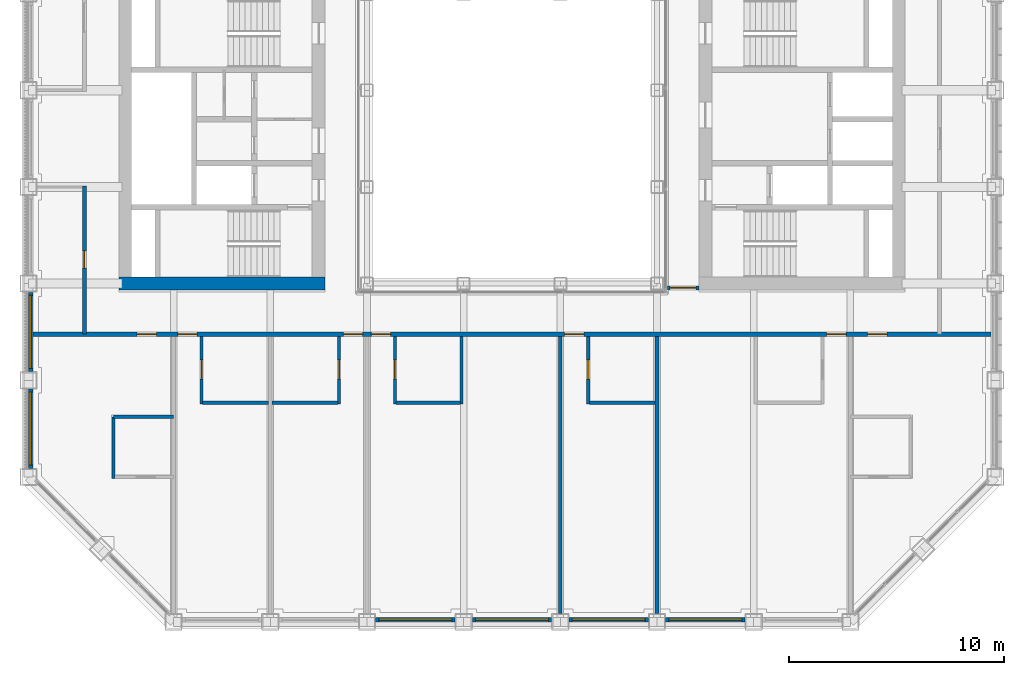
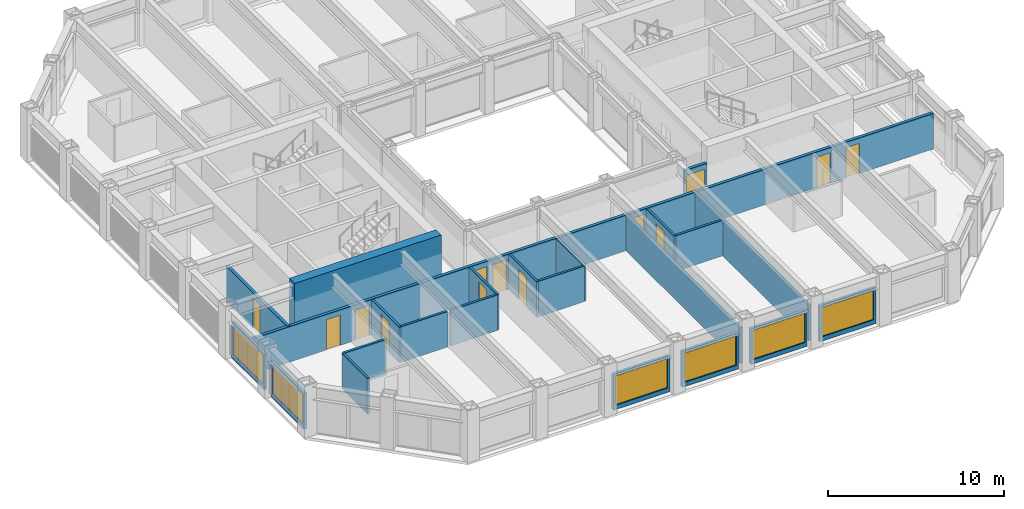
# One storey, part 10 of 17: 23 walls, 13 doors, 6 windows, 19 openings.
"""IFC4 building model written with IfcOpenShell, lengths in metres."""

from ifc_helpers import new_model, si_unit, direction, frame, frame_2d, origin, place, context, subcontext, project, spatial, rectangle, extrude, material, layer, layer_set, type_object, element, fill, save


model = new_model("IFC4")

# Units and contexts
model_context = context("Model", 3, precision=1e-05, world=origin(), true_north=direction((0.0, 1.0)))
body_context = subcontext(model_context, "Body", "Model", "MODEL_VIEW")
ifc_project = project(units=[si_unit("LENGTHUNIT", "METRE"), si_unit("AREAUNIT", "SQUARE_METRE"), si_unit("VOLUMEUNIT", "CUBIC_METRE"), si_unit("PLANEANGLEUNIT", "RADIAN"), si_unit("MASSUNIT", "GRAM", prefix="KILO")], contexts=[model_context])

# Site, building, storey
site_placement = place(None, origin())
site = spatial("IfcSite", under=ifc_project, at=site_placement, CompositionType="ELEMENT")
building_placement = place(site_placement, origin())
building = spatial("IfcBuilding", under=site, at=building_placement, Name="Msasa Ring Tower", CompositionType="ELEMENT")
storey_placement = place(building_placement, frame((0.0, 0.0, 140.0)))
storey = spatial("IfcBuildingStorey", under=building, at=storey_placement, Name="L36", CompositionType="ELEMENT", Elevation=140.0)

# Wall
ifc_material_1 = material(Name="Concrete C60/75", Category="concrete")
ifc_layer_1 = layer(ifc_material_1, 0.60009765625)
ifc_layer_set_1 = layer_set([ifc_layer_1], Name="CW2 CORE WALL 600")
wall_type_1 = type_object("IfcWallType", Name="CW2 CORE WALL 600", PredefinedType="SHEAR", material=ifc_layer_set_1)
wall_1_placement = place(storey_placement, frame((-8.699951171875, -6.75, 0.0), z_axis=(0.0, 0.0, 1.0), x_axis=(-1.0, 0.0, 0.0)))
element("IfcWall", 1, at=wall_1_placement, inside=storey, type_object=wall_type_1, Name="W core wall S L36", PredefinedType="SHEAR", context=body_context, shape_type="SweptSolid", body=[
    extrude(rectangle(XDim=9.60009765625, YDim=0.60009765625, at=frame_2d((4.800048828125, 0.0))), origin(), (0.0, 0.0, 1.0), 3.60009765625),
])

# Wall, opening, window
ifc_material_2 = material(Name="Terracotta rainscreen on blockwork", Category="masonry")
ifc_layer_2 = layer(ifc_material_2, 0.199951171875)
ifc_layer_set_2 = layer_set([ifc_layer_2], Name="FW1 TERRACOTTA-LINED INFILL BAY WALL 200")
wall_type_2 = type_object("IfcWallType", Name="FW1 TERRACOTTA-LINED INFILL BAY WALL 200", PredefinedType="SOLIDWALL", material=ifc_layer_set_2)
wall_2_placement = place(storey_placement, frame((-6.344970703125, -22.39990234375, 0.0), z_axis=(0.0, 0.0, 1.0), x_axis=(1.0, 0.0, 0.0)))
wall_2 = element("IfcWall", 2, at=wall_2_placement, inside=storey, type_object=wall_type_2, Name="Infill bay wall S L36 02", PredefinedType="SOLIDWALL", context=body_context, shape_type="SweptSolid", body=[
    extrude(rectangle(XDim=3.68994140625, YDim=0.199951171875, at=frame_2d((1.844970703125, 0.0))), origin(), (0.0, 0.0, 1.0), 2.47900390625),
])
opening_1_placement = place(wall_2_placement, frame((0.14501953125, 0.0, 0.300048828125)))
opening_1 = element("IfcOpeningElement", 3, at=opening_1_placement, cuts=wall_2, Name="Opening WN2", PredefinedType="OPENING", context=body_context, shape_type="SweptSolid", body=[
    extrude(rectangle(XDim=3.39990234375, YDim=2.029052734375, at=frame_2d((1.699951171875, 1.0146484375))), frame((0.0, 0.10986328125, 0.0), z_axis=(0.0, -1.0, 0.0), x_axis=(1.0, 0.0, 0.0)), (0.0, 0.0, 1.0), 0.219970703125),
])
ifc_material_3 = material(Name="Aluminium frame with clear glass", Category="aluminium")
window_type = type_object("IfcWindowType", Name="WN2 GUEST ROOM WINDOW 3400x2029", PartitioningType="SINGLE_PANEL", PredefinedType="WINDOW", material=ifc_material_3)
window_1_placement = place(opening_1_placement, origin())
window_1 = element("IfcWindow", 4, at=window_1_placement, inside=storey, type_object=window_type, Name="Window S L36 02", OverallHeight=2.029052734375, OverallWidth=3.39990234375, PartitioningType="SINGLE_PANEL", PredefinedType="WINDOW", context=body_context, shape_type="SweptSolid", body=[
    extrude(rectangle(XDim=3.39990234375, YDim=2.029052734375, at=frame_2d((1.699951171875, 1.0146484375))), frame((0.0, 0.030029296875, 0.0), z_axis=(0.0, -1.0, 0.0), x_axis=(1.0, 0.0, 0.0)), (0.0, 0.0, 1.0), 0.06005859375),
])
fill(opening_1, window_1)

wall_3_placement = place(storey_placement, frame((-1.844970703125, -22.39990234375, 0.0), z_axis=(0.0, 0.0, 1.0), x_axis=(1.0, 0.0, 0.0)))
wall_3 = element("IfcWall", 5, at=wall_3_placement, inside=storey, type_object=wall_type_2, Name="Infill bay wall S L36 03", PredefinedType="SOLIDWALL", context=body_context, shape_type="SweptSolid", body=[
    extrude(rectangle(XDim=3.68994140625, YDim=0.199951171875, at=frame_2d((1.844970703125, 0.0))), origin(), (0.0, 0.0, 1.0), 2.47900390625),
])
opening_2_placement = place(wall_3_placement, frame((0.14501953125, 0.0, 0.300048828125)))
opening_2 = element("IfcOpeningElement", 6, at=opening_2_placement, cuts=wall_3, Name="Opening WN2", PredefinedType="OPENING", context=body_context, shape_type="SweptSolid", body=[
    extrude(rectangle(XDim=3.39990234375, YDim=2.029052734375, at=frame_2d((1.699951171875, 1.0146484375))), frame((0.0, 0.10986328125, 0.0), z_axis=(0.0, -1.0, 0.0), x_axis=(1.0, 0.0, 0.0)), (0.0, 0.0, 1.0), 0.219970703125),
])
window_2_placement = place(opening_2_placement, origin())
window_2 = element("IfcWindow", 7, at=window_2_placement, inside=storey, type_object=window_type, Name="Window S L36 03", OverallHeight=2.029052734375, OverallWidth=3.39990234375, PartitioningType="SINGLE_PANEL", PredefinedType="WINDOW", context=body_context, shape_type="SweptSolid", body=[
    extrude(rectangle(XDim=3.39990234375, YDim=2.029052734375, at=frame_2d((1.699951171875, 1.0146484375))), frame((0.0, 0.030029296875, 0.0), z_axis=(0.0, -1.0, 0.0), x_axis=(1.0, 0.0, 0.0)), (0.0, 0.0, 1.0), 0.06005859375),
])
fill(opening_2, window_2)

wall_4_placement = place(storey_placement, frame((2.655029296875, -22.39990234375, 0.0), z_axis=(0.0, 0.0, 1.0), x_axis=(1.0, 0.0, 0.0)))
wall_4 = element("IfcWall", 8, at=wall_4_placement, inside=storey, type_object=wall_type_2, Name="Infill bay wall S L36 04", PredefinedType="SOLIDWALL", context=body_context, shape_type="SweptSolid", body=[
    extrude(rectangle(XDim=3.68994140625, YDim=0.199951171875, at=frame_2d((1.844970703125, 0.0))), origin(), (0.0, 0.0, 1.0), 2.47900390625),
])
opening_3_placement = place(wall_4_placement, frame((0.14501953125, 0.0, 0.300048828125)))
opening_3 = element("IfcOpeningElement", 9, at=opening_3_placement, cuts=wall_4, Name="Opening WN2", PredefinedType="OPENING", context=body_context, shape_type="SweptSolid", body=[
    extrude(rectangle(XDim=3.39990234375, YDim=2.029052734375, at=frame_2d((1.699951171875, 1.0146484375))), frame((0.0, 0.10986328125, 0.0), z_axis=(0.0, -1.0, 0.0), x_axis=(1.0, 0.0, 0.0)), (0.0, 0.0, 1.0), 0.219970703125),
])
window_3_placement = place(opening_3_placement, origin())
window_3 = element("IfcWindow", 10, at=window_3_placement, inside=storey, type_object=window_type, Name="Window S L36 04", OverallHeight=2.029052734375, OverallWidth=3.39990234375, PartitioningType="SINGLE_PANEL", PredefinedType="WINDOW", context=body_context, shape_type="SweptSolid", body=[
    extrude(rectangle(XDim=3.39990234375, YDim=2.029052734375, at=frame_2d((1.699951171875, 1.0146484375))), frame((0.0, 0.030029296875, 0.0), z_axis=(0.0, -1.0, 0.0), x_axis=(1.0, 0.0, 0.0)), (0.0, 0.0, 1.0), 0.06005859375),
])
fill(opening_3, window_3)

wall_5_placement = place(storey_placement, frame((7.155029296875, -22.39990234375, 0.0), z_axis=(0.0, 0.0, 1.0), x_axis=(1.0, 0.0, 0.0)))
wall_5 = element("IfcWall", 11, at=wall_5_placement, inside=storey, type_object=wall_type_2, Name="Infill bay wall S L36 05", PredefinedType="SOLIDWALL", context=body_context, shape_type="SweptSolid", body=[
    extrude(rectangle(XDim=3.68994140625, YDim=0.199951171875, at=frame_2d((1.844970703125, 0.0))), origin(), (0.0, 0.0, 1.0), 2.47900390625),
])
opening_4_placement = place(wall_5_placement, frame((0.14501953125, 0.0, 0.300048828125)))
opening_4 = element("IfcOpeningElement", 12, at=opening_4_placement, cuts=wall_5, Name="Opening WN2", PredefinedType="OPENING", context=body_context, shape_type="SweptSolid", body=[
    extrude(rectangle(XDim=3.39990234375, YDim=2.029052734375, at=frame_2d((1.699951171875, 1.0146484375))), frame((0.0, 0.10986328125, 0.0), z_axis=(0.0, -1.0, 0.0), x_axis=(1.0, 0.0, 0.0)), (0.0, 0.0, 1.0), 0.219970703125),
])
window_4_placement = place(opening_4_placement, origin())
window_4 = element("IfcWindow", 13, at=window_4_placement, inside=storey, type_object=window_type, Name="Window S L36 05", OverallHeight=2.029052734375, OverallWidth=3.39990234375, PartitioningType="SINGLE_PANEL", PredefinedType="WINDOW", context=body_context, shape_type="SweptSolid", body=[
    extrude(rectangle(XDim=3.39990234375, YDim=2.029052734375, at=frame_2d((1.699951171875, 1.0146484375))), frame((0.0, 0.030029296875, 0.0), z_axis=(0.0, -1.0, 0.0), x_axis=(1.0, 0.0, 0.0)), (0.0, 0.0, 1.0), 0.06005859375),
])
fill(opening_4, window_4)

wall_6_placement = place(storey_placement, frame((-22.39990234375, -15.344970703125, 0.0), z_axis=(0.0, 0.0, 1.0), x_axis=(0.0, 1.0, 0.0)))
wall_6 = element("IfcWall", 14, at=wall_6_placement, inside=storey, type_object=wall_type_2, Name="Infill bay wall W L36 27", PredefinedType="SOLIDWALL", context=body_context, shape_type="SweptSolid", body=[
    extrude(rectangle(XDim=3.68994140625, YDim=0.199951171875, at=frame_2d((1.844970703125, 0.0))), origin(), (0.0, 0.0, 1.0), 2.47900390625),
])
opening_5_placement = place(wall_6_placement, frame((0.14501953125, 0.0, 0.300048828125)))
opening_5 = element("IfcOpeningElement", 15, at=opening_5_placement, cuts=wall_6, Name="Opening WN2", PredefinedType="OPENING", context=body_context, shape_type="SweptSolid", body=[
    extrude(rectangle(XDim=3.39990234375, YDim=2.029052734375, at=frame_2d((1.699951171875, 1.0146484375))), frame((0.0, 0.10986328125, 0.0), z_axis=(0.0, -1.0, 0.0), x_axis=(1.0, 0.0, 0.0)), (0.0, 0.0, 1.0), 0.219970703125),
])
window_5_placement = place(opening_5_placement, origin())
window_5 = element("IfcWindow", 16, at=window_5_placement, inside=storey, type_object=window_type, Name="Window W L36 27", OverallHeight=2.029052734375, OverallWidth=3.39990234375, PartitioningType="SINGLE_PANEL", PredefinedType="WINDOW", context=body_context, shape_type="SweptSolid", body=[
    extrude(rectangle(XDim=3.39990234375, YDim=2.029052734375, at=frame_2d((1.699951171875, 1.0146484375))), frame((0.0, 0.030029296875, 0.0), z_axis=(0.0, -1.0, 0.0), x_axis=(1.0, 0.0, 0.0)), (0.0, 0.0, 1.0), 0.06005859375),
])
fill(opening_5, window_5)

wall_7_placement = place(storey_placement, frame((-22.39990234375, -10.844970703125, 0.0), z_axis=(0.0, 0.0, 1.0), x_axis=(0.0, 1.0, 0.0)))
wall_7 = element("IfcWall", 17, at=wall_7_placement, inside=storey, type_object=wall_type_2, Name="Infill bay wall W L36 28", PredefinedType="SOLIDWALL", context=body_context, shape_type="SweptSolid", body=[
    extrude(rectangle(XDim=3.68994140625, YDim=0.199951171875, at=frame_2d((1.844970703125, 0.0))), origin(), (0.0, 0.0, 1.0), 2.47900390625),
])
opening_6_placement = place(wall_7_placement, frame((0.14501953125, 0.0, 0.300048828125)))
opening_6 = element("IfcOpeningElement", 18, at=opening_6_placement, cuts=wall_7, Name="Opening WN2", PredefinedType="OPENING", context=body_context, shape_type="SweptSolid", body=[
    extrude(rectangle(XDim=3.39990234375, YDim=2.029052734375, at=frame_2d((1.699951171875, 1.0146484375))), frame((0.0, 0.10986328125, 0.0), z_axis=(0.0, -1.0, 0.0), x_axis=(1.0, 0.0, 0.0)), (0.0, 0.0, 1.0), 0.219970703125),
])
window_6_placement = place(opening_6_placement, origin())
window_6 = element("IfcWindow", 19, at=window_6_placement, inside=storey, type_object=window_type, Name="Window W L36 28", OverallHeight=2.029052734375, OverallWidth=3.39990234375, PartitioningType="SINGLE_PANEL", PredefinedType="WINDOW", context=body_context, shape_type="SweptSolid", body=[
    extrude(rectangle(XDim=3.39990234375, YDim=2.029052734375, at=frame_2d((1.699951171875, 1.0146484375))), frame((0.0, 0.030029296875, 0.0), z_axis=(0.0, -1.0, 0.0), x_axis=(1.0, 0.0, 0.0)), (0.0, 0.0, 1.0), 0.06005859375),
])
fill(opening_6, window_6)

# Wall, opening, door
ifc_material_4 = material(Name="Concrete blockwork", Category="masonry")
ifc_layer_3 = layer(ifc_material_4, 0.199951171875)
ifc_layer_set_3 = layer_set([ifc_layer_3], Name="PT1 CORRIDOR WALL 200")
wall_type_3 = type_object("IfcWallType", Name="PT1 CORRIDOR WALL 200", PredefinedType="PARTITIONING", material=ifc_layer_set_3)
wall_8_placement = place(storey_placement, frame((7.22998046875, -6.949951171875, 0.0), z_axis=(0.0, 0.0, 1.0), x_axis=(1.0, 0.0, 0.0)))
wall_8 = element("IfcWall", 20, at=wall_8_placement, inside=storey, type_object=wall_type_3, Name="Corridor wall L36-SDES", PredefinedType="PARTITIONING", context=body_context, shape_type="SweptSolid", body=[
    extrude(rectangle(XDim=1.469970703125, YDim=0.199951171875, at=frame_2d((0.73486328125, 0.0))), origin(), (0.0, 0.0, 1.0), 2.473388671875),
])
opening_7_placement = place(wall_8_placement, frame((0.135009765625, 0.0, 0.0)))
opening_7 = element("IfcOpeningElement", 21, at=opening_7_placement, cuts=wall_8, Name="Opening HC-033", PredefinedType="OPENING", context=body_context, shape_type="SweptSolid", body=[
    extrude(rectangle(XDim=1.199951171875, YDim=2.10009765625, at=frame_2d((0.60009765625, 1.050048828125))), frame((0.0, 0.10986328125, 0.0), z_axis=(0.0, -1.0, 0.0), x_axis=(1.0, 0.0, 0.0)), (0.0, 0.0, 1.0), 0.219970703125),
])
ifc_material_5 = material(Name="Timber door leaf in a steel frame", Category="steel")
door_type_1 = type_object("IfcDoorType", Name="D25 CORRIDOR PAIR OF SMOKE DOORS 1200x2100", OperationType="DOUBLE_DOOR_DOUBLE_SWING", PredefinedType="DOOR", material=ifc_material_5)
door_1_placement = place(opening_7_placement, origin())
door_1 = element("IfcDoor", 22, at=door_1_placement, inside=storey, type_object=door_type_1, Name="Door L36-SDES", OperationType="DOUBLE_DOOR_DOUBLE_SWING", OverallHeight=2.10009765625, OverallWidth=1.199951171875, PredefinedType="DOOR", context=body_context, shape_type="SweptSolid", body=[
    extrude(rectangle(XDim=1.199951171875, YDim=2.10009765625, at=frame_2d((0.60009765625, 1.050048828125))), frame((0.0, 0.02490234375, 0.0), z_axis=(0.0, -1.0, 0.0), x_axis=(1.0, 0.0, 0.0)), (0.0, 0.0, 1.0), 0.050048828125),
])
fill(opening_7, door_1)

# Wall, openings, doors
wall_9_placement = place(storey_placement, frame((-22.300048828125, -9.10009765625, 0.0), z_axis=(0.0, 0.0, 1.0), x_axis=(1.0, 0.0, 0.0)))
wall_9 = element("IfcWall", 23, at=wall_9_placement, inside=storey, type_object=wall_type_3, Name="Corridor wall L36-CORRS0", PredefinedType="PARTITIONING", context=body_context, shape_type="SweptSolid", body=[
    extrude(rectangle(XDim=44.60009765625, YDim=0.199951171875, at=frame_2d((22.300048828125, 0.0))), origin(), (0.0, 0.0, 1.0), 2.473388671875),
])
opening_8_placement = place(wall_9_placement, frame((6.75, 0.0, 0.0)))
opening_8 = element("IfcOpeningElement", 24, at=opening_8_placement, cuts=wall_9, Name="Opening HC-035", PredefinedType="OPENING", context=body_context, shape_type="SweptSolid", body=[
    extrude(rectangle(XDim=0.89990234375, YDim=2.10009765625, at=frame_2d((0.449951171875, 1.050048828125))), frame((0.0, 0.10986328125, 0.0), z_axis=(0.0, -1.0, 0.0), x_axis=(1.0, 0.0, 0.0)), (0.0, 0.0, 1.0), 0.219970703125),
])
opening_9_placement = place(wall_9_placement, frame((14.449951171875, 0.0, 0.0)))
opening_9 = element("IfcOpeningElement", 25, at=opening_9_placement, cuts=wall_9, Name="Opening HC-036", PredefinedType="OPENING", context=body_context, shape_type="SweptSolid", body=[
    extrude(rectangle(XDim=0.89990234375, YDim=2.10009765625, at=frame_2d((0.449951171875, 1.050048828125))), frame((0.0, 0.10986328125, 0.0), z_axis=(0.0, -1.0, 0.0), x_axis=(1.0, 0.0, 0.0)), (0.0, 0.0, 1.0), 0.219970703125),
])
opening_10_placement = place(wall_9_placement, frame((15.75, 0.0, 0.0)))
opening_10 = element("IfcOpeningElement", 26, at=opening_10_placement, cuts=wall_9, Name="Opening HC-037", PredefinedType="OPENING", context=body_context, shape_type="SweptSolid", body=[
    extrude(rectangle(XDim=0.89990234375, YDim=2.10009765625, at=frame_2d((0.449951171875, 1.050048828125))), frame((0.0, 0.10986328125, 0.0), z_axis=(0.0, -1.0, 0.0), x_axis=(1.0, 0.0, 0.0)), (0.0, 0.0, 1.0), 0.219970703125),
])
opening_11_placement = place(wall_9_placement, frame((24.75, 0.0, 0.0)))
opening_11 = element("IfcOpeningElement", 27, at=opening_11_placement, cuts=wall_9, Name="Opening HC-038", PredefinedType="OPENING", context=body_context, shape_type="SweptSolid", body=[
    extrude(rectangle(XDim=0.89990234375, YDim=2.10009765625, at=frame_2d((0.449951171875, 1.050048828125))), frame((0.0, 0.10986328125, 0.0), z_axis=(0.0, -1.0, 0.0), x_axis=(1.0, 0.0, 0.0)), (0.0, 0.0, 1.0), 0.219970703125),
])
opening_12_placement = place(wall_9_placement, frame((36.949951171875, 0.0, 0.0)))
opening_12 = element("IfcOpeningElement", 28, at=opening_12_placement, cuts=wall_9, Name="Opening HC-039", PredefinedType="OPENING", context=body_context, shape_type="SweptSolid", body=[
    extrude(rectangle(XDim=0.89990234375, YDim=2.10009765625, at=frame_2d((0.449951171875, 1.050048828125))), frame((0.0, 0.10986328125, 0.0), z_axis=(0.0, -1.0, 0.0), x_axis=(1.0, 0.0, 0.0)), (0.0, 0.0, 1.0), 0.219970703125),
])
opening_13_placement = place(wall_9_placement, frame((38.85009765625, 0.0, 0.0)))
opening_13 = element("IfcOpeningElement", 29, at=opening_13_placement, cuts=wall_9, Name="Opening HC-040", PredefinedType="OPENING", context=body_context, shape_type="SweptSolid", body=[
    extrude(rectangle(XDim=0.89990234375, YDim=2.10009765625, at=frame_2d((0.449951171875, 1.050048828125))), frame((0.0, 0.10986328125, 0.0), z_axis=(0.0, -1.0, 0.0), x_axis=(1.0, 0.0, 0.0)), (0.0, 0.0, 1.0), 0.219970703125),
])
opening_14_placement = place(wall_9_placement, frame((4.85009765625, 0.0, 0.0)))
opening_14 = element("IfcOpeningElement", 30, at=opening_14_placement, cuts=wall_9, Name="Opening HC-034", PredefinedType="OPENING", context=body_context, shape_type="SweptSolid", body=[
    extrude(rectangle(XDim=0.89990234375, YDim=2.10009765625, at=frame_2d((0.449951171875, 1.050048828125))), frame((0.0, 0.10986328125, 0.0), z_axis=(0.0, -1.0, 0.0), x_axis=(1.0, 0.0, 0.0)), (0.0, 0.0, 1.0), 0.219970703125),
])
ifc_material_6 = material(Name="Timber door leaf in a steel frame", Category="steel")
door_type_2 = type_object("IfcDoorType", Name="D1 SINGLE DOOR TO CORRIDOR 900x2100", OperationType="SINGLE_SWING_LEFT", PredefinedType="DOOR", material=ifc_material_6)
door_2_placement = place(opening_8_placement, origin())
door_2 = element("IfcDoor", 31, at=door_2_placement, inside=storey, type_object=door_type_2, Name="Door L36-GS00", OperationType="SINGLE_SWING_LEFT", OverallHeight=2.10009765625, OverallWidth=0.89990234375, PredefinedType="DOOR", context=body_context, shape_type="SweptSolid", body=[
    extrude(rectangle(XDim=0.89990234375, YDim=2.10009765625, at=frame_2d((0.449951171875, 1.050048828125))), frame((0.0, 0.02490234375, 0.0), z_axis=(0.0, -1.0, 0.0), x_axis=(1.0, 0.0, 0.0)), (0.0, 0.0, 1.0), 0.050048828125),
])
fill(opening_8, door_2)
door_3_placement = place(opening_9_placement, origin())
door_3 = element("IfcDoor", 32, at=door_3_placement, inside=storey, type_object=door_type_2, Name="Door L36-GS01", OperationType="SINGLE_SWING_LEFT", OverallHeight=2.10009765625, OverallWidth=0.89990234375, PredefinedType="DOOR", context=body_context, shape_type="SweptSolid", body=[
    extrude(rectangle(XDim=0.89990234375, YDim=2.10009765625, at=frame_2d((0.449951171875, 1.050048828125))), frame((0.0, 0.02490234375, 0.0), z_axis=(0.0, -1.0, 0.0), x_axis=(1.0, 0.0, 0.0)), (0.0, 0.0, 1.0), 0.050048828125),
])
fill(opening_9, door_3)
door_4_placement = place(opening_10_placement, origin())
door_4 = element("IfcDoor", 33, at=door_4_placement, inside=storey, type_object=door_type_2, Name="Door L36-GS02", OperationType="SINGLE_SWING_LEFT", OverallHeight=2.10009765625, OverallWidth=0.89990234375, PredefinedType="DOOR", context=body_context, shape_type="SweptSolid", body=[
    extrude(rectangle(XDim=0.89990234375, YDim=2.10009765625, at=frame_2d((0.449951171875, 1.050048828125))), frame((0.0, 0.02490234375, 0.0), z_axis=(0.0, -1.0, 0.0), x_axis=(1.0, 0.0, 0.0)), (0.0, 0.0, 1.0), 0.050048828125),
])
fill(opening_10, door_4)
door_5_placement = place(opening_11_placement, origin())
door_5 = element("IfcDoor", 34, at=door_5_placement, inside=storey, type_object=door_type_2, Name="Door L36-GS03", OperationType="SINGLE_SWING_RIGHT", OverallHeight=2.10009765625, OverallWidth=0.89990234375, PredefinedType="DOOR", context=body_context, shape_type="SweptSolid", body=[
    extrude(rectangle(XDim=0.89990234375, YDim=2.10009765625, at=frame_2d((0.449951171875, 1.050048828125))), frame((0.0, 0.02490234375, 0.0), z_axis=(0.0, -1.0, 0.0), x_axis=(1.0, 0.0, 0.0)), (0.0, 0.0, 1.0), 0.050048828125),
])
fill(opening_11, door_5)
door_6_placement = place(opening_12_placement, origin())
door_6 = element("IfcDoor", 35, at=door_6_placement, inside=storey, type_object=door_type_2, Name="Door L36-GS04", OperationType="SINGLE_SWING_RIGHT", OverallHeight=2.10009765625, OverallWidth=0.89990234375, PredefinedType="DOOR", context=body_context, shape_type="SweptSolid", body=[
    extrude(rectangle(XDim=0.89990234375, YDim=2.10009765625, at=frame_2d((0.449951171875, 1.050048828125))), frame((0.0, 0.02490234375, 0.0), z_axis=(0.0, -1.0, 0.0), x_axis=(1.0, 0.0, 0.0)), (0.0, 0.0, 1.0), 0.050048828125),
])
fill(opening_12, door_6)
ifc_material_7 = material(Name="Timber door leaf in a steel frame", Category="steel")
door_type_3 = type_object("IfcDoorType", Name="D2 ENTRANCE DOOR 900x2100", OperationType="SINGLE_SWING_LEFT", PredefinedType="DOOR", material=ifc_material_7)
door_7_placement = place(opening_13_placement, origin())
door_7 = element("IfcDoor", 36, at=door_7_placement, inside=storey, type_object=door_type_3, Name="Door L36-CSSE", OperationType="SINGLE_SWING_RIGHT", OverallHeight=2.10009765625, OverallWidth=0.89990234375, PredefinedType="DOOR", context=body_context, shape_type="SweptSolid", body=[
    extrude(rectangle(XDim=0.89990234375, YDim=2.10009765625, at=frame_2d((0.449951171875, 1.050048828125))), frame((0.0, 0.02490234375, 0.0), z_axis=(0.0, -1.0, 0.0), x_axis=(1.0, 0.0, 0.0)), (0.0, 0.0, 1.0), 0.050048828125),
])
fill(opening_13, door_7)
door_8_placement = place(opening_14_placement, origin())
door_8 = element("IfcDoor", 37, at=door_8_placement, inside=storey, type_object=door_type_3, Name="Door L36-CSSW", OperationType="SINGLE_SWING_LEFT", OverallHeight=2.10009765625, OverallWidth=0.89990234375, PredefinedType="DOOR", context=body_context, shape_type="SweptSolid", body=[
    extrude(rectangle(XDim=0.89990234375, YDim=2.10009765625, at=frame_2d((0.449951171875, 1.050048828125))), frame((0.0, 0.02490234375, 0.0), z_axis=(0.0, -1.0, 0.0), x_axis=(1.0, 0.0, 0.0)), (0.0, 0.0, 1.0), 0.050048828125),
])
fill(opening_14, door_8)

# Wall, opening, door
wall_10_placement = place(storey_placement, frame((-19.89990234375, -9.10009765625, 0.0), z_axis=(0.0, 0.0, 1.0), x_axis=(0.0, 1.0, 0.0)))
wall_10 = element("IfcWall", 38, at=wall_10_placement, inside=storey, type_object=wall_type_3, Name="Corridor wall L36-STRWS", PredefinedType="PARTITIONING", context=body_context, shape_type="SweptSolid", body=[
    extrude(rectangle(XDim=6.900146484375, YDim=0.199951171875, at=frame_2d((3.4501953125, 0.0))), origin(), (0.0, 0.0, 1.0), 2.473388671875),
])
opening_15_placement = place(wall_10_placement, frame((3.074951171875, 0.0, 0.0)))
opening_15 = element("IfcOpeningElement", 39, at=opening_15_placement, cuts=wall_10, Name="Opening HC-032", PredefinedType="OPENING", context=body_context, shape_type="SweptSolid", body=[
    extrude(rectangle(XDim=0.800048828125, YDim=2.10009765625, at=frame_2d((0.39990234375, 1.050048828125))), frame((0.0, 0.10986328125, 0.0), z_axis=(0.0, -1.0, 0.0), x_axis=(1.0, 0.0, 0.0)), (0.0, 0.0, 1.0), 0.219970703125),
])
ifc_material_8 = material(Name="Timber door leaf in a steel frame", Category="steel")
door_type_4 = type_object("IfcDoorType", Name="D11 NARROW STORE DOOR 800x2100", OperationType="SINGLE_SWING_LEFT", PredefinedType="DOOR", material=ifc_material_8)
door_9_placement = place(opening_15_placement, origin())
door_9 = element("IfcDoor", 40, at=door_9_placement, inside=storey, type_object=door_type_4, Name="Door L36-CLW", OperationType="SINGLE_SWING_LEFT", OverallHeight=2.10009765625, OverallWidth=0.800048828125, PredefinedType="DOOR", context=body_context, shape_type="SweptSolid", body=[
    extrude(rectangle(XDim=0.800048828125, YDim=2.10009765625, at=frame_2d((0.39990234375, 1.050048828125))), frame((0.0, 0.02490234375, 0.0), z_axis=(0.0, -1.0, 0.0), x_axis=(1.0, 0.0, 0.0)), (0.0, 0.0, 1.0), 0.050048828125),
])
fill(opening_15, door_9)

ifc_material_9 = material(Name="Moisture-resistant board on steel studs with a concealed cistern and pipe void, tiled", Category="steel")
ifc_layer_4 = layer(ifc_material_9, 0.14990234375)
ifc_layer_set_4 = layer_set([ifc_layer_4], Name="PT4 BATHROOM WET WALL 150")
wall_type_4 = type_object("IfcWallType", Name="PT4 BATHROOM WET WALL 150", PredefinedType="PARTITIONING", material=ifc_layer_set_4)
wall_11_placement = place(storey_placement, frame((-14.449951171875, -12.35009765625, 0.0), z_axis=(0.0, 0.0, 1.0), x_axis=(0.0, 1.0, 0.0)))
wall_11 = element("IfcWall", 41, at=wall_11_placement, inside=storey, type_object=wall_type_4, Name="Partition L36-GS00BX", PredefinedType="PARTITIONING", context=body_context, shape_type="SweptSolid", body=[
    extrude(rectangle(XDim=3.150146484375, YDim=0.14990234375, at=frame_2d((1.5751953125, 0.0))), origin(), (0.0, 0.0, 1.0), 2.473388671875),
])
opening_16_placement = place(wall_11_placement, frame((1.14990234375, 0.0, 0.0)))
opening_16 = element("IfcOpeningElement", 42, at=opening_16_placement, cuts=wall_11, Name="Opening HC-041", PredefinedType="OPENING", context=body_context, shape_type="SweptSolid", body=[
    extrude(rectangle(XDim=0.89990234375, YDim=2.10009765625, at=frame_2d((0.449951171875, 1.050048828125))), frame((0.0, 0.0849609375, 0.0), z_axis=(0.0, -1.0, 0.0), x_axis=(1.0, 0.0, 0.0)), (0.0, 0.0, 1.0), 0.169921875),
])
ifc_material_10 = material(Name="Timber door leaf in a steel frame", Category="steel")
door_type_5 = type_object("IfcDoorType", Name="D3 BATHROOM DOOR 900x2100", OperationType="SINGLE_SWING_LEFT", PredefinedType="DOOR", material=ifc_material_10)
door_10_placement = place(opening_16_placement, origin())
door_10 = element("IfcDoor", 43, at=door_10_placement, inside=storey, type_object=door_type_5, Name="Door L36-GS00B", OperationType="SINGLE_SWING_LEFT", OverallHeight=2.10009765625, OverallWidth=0.89990234375, PredefinedType="DOOR", context=body_context, shape_type="SweptSolid", body=[
    extrude(rectangle(XDim=0.89990234375, YDim=2.10009765625, at=frame_2d((0.449951171875, 1.050048828125))), frame((0.0, 0.02490234375, 0.0), z_axis=(0.0, -1.0, 0.0), x_axis=(1.0, 0.0, 0.0)), (0.0, 0.0, 1.0), 0.050048828125),
])
fill(opening_16, door_10)

# Wall
wall_12_placement = place(storey_placement, frame((-14.39990234375, -12.300048828125, 0.0), z_axis=(0.0, 0.0, 1.0), x_axis=(1.0, 0.0, 0.0)))
element("IfcWall", 44, at=wall_12_placement, inside=storey, type_object=wall_type_4, Name="Partition L36-GS00BY", PredefinedType="PARTITIONING", context=body_context, shape_type="SweptSolid", body=[
    extrude(rectangle(XDim=3.0625, YDim=0.14990234375, at=frame_2d((1.53125, 0.0))), origin(), (0.0, 0.0, 1.0), 2.473388671875),
])

# Wall, opening, door
wall_13_placement = place(storey_placement, frame((-8.050048828125, -12.35009765625, 0.0), z_axis=(0.0, 0.0, 1.0), x_axis=(0.0, 1.0, 0.0)))
wall_13 = element("IfcWall", 45, at=wall_13_placement, inside=storey, type_object=wall_type_4, Name="Partition L36-GS01BX", PredefinedType="PARTITIONING", context=body_context, shape_type="SweptSolid", body=[
    extrude(rectangle(XDim=3.150146484375, YDim=0.14990234375, at=frame_2d((1.5751953125, 0.0))), origin(), (0.0, 0.0, 1.0), 2.473388671875),
])
opening_17_placement = place(wall_13_placement, frame((1.14990234375, 0.0, 0.0)))
opening_17 = element("IfcOpeningElement", 46, at=opening_17_placement, cuts=wall_13, Name="Opening HC-042", PredefinedType="OPENING", context=body_context, shape_type="SweptSolid", body=[
    extrude(rectangle(XDim=0.89990234375, YDim=2.10009765625, at=frame_2d((0.449951171875, 1.050048828125))), frame((0.0, 0.0849609375, 0.0), z_axis=(0.0, -1.0, 0.0), x_axis=(1.0, 0.0, 0.0)), (0.0, 0.0, 1.0), 0.169921875),
])
door_11_placement = place(opening_17_placement, origin())
door_11 = element("IfcDoor", 47, at=door_11_placement, inside=storey, type_object=door_type_5, Name="Door L36-GS01B", OperationType="SINGLE_SWING_LEFT", OverallHeight=2.10009765625, OverallWidth=0.89990234375, PredefinedType="DOOR", context=body_context, shape_type="SweptSolid", body=[
    extrude(rectangle(XDim=0.89990234375, YDim=2.10009765625, at=frame_2d((0.449951171875, 1.050048828125))), frame((0.0, 0.02490234375, 0.0), z_axis=(0.0, -1.0, 0.0), x_axis=(1.0, 0.0, 0.0)), (0.0, 0.0, 1.0), 0.050048828125),
])
fill(opening_17, door_11)

# Wall
wall_14_placement = place(storey_placement, frame((-11.16259765625, -12.300048828125, 0.0), z_axis=(0.0, 0.0, 1.0), x_axis=(1.0, 0.0, 0.0)))
element("IfcWall", 48, at=wall_14_placement, inside=storey, type_object=wall_type_4, Name="Partition L36-GS01BY", PredefinedType="PARTITIONING", context=body_context, shape_type="SweptSolid", body=[
    extrude(rectangle(XDim=3.0625, YDim=0.14990234375, at=frame_2d((1.53125, 0.0))), origin(), (0.0, 0.0, 1.0), 2.473388671875),
])

# Wall, opening, door
wall_15_placement = place(storey_placement, frame((-5.449951171875, -12.35009765625, 0.0), z_axis=(0.0, 0.0, 1.0), x_axis=(0.0, 1.0, 0.0)))
wall_15 = element("IfcWall", 49, at=wall_15_placement, inside=storey, type_object=wall_type_4, Name="Partition L36-GS02BX", PredefinedType="PARTITIONING", context=body_context, shape_type="SweptSolid", body=[
    extrude(rectangle(XDim=3.150146484375, YDim=0.14990234375, at=frame_2d((1.5751953125, 0.0))), origin(), (0.0, 0.0, 1.0), 2.473388671875),
])
opening_18_placement = place(wall_15_placement, frame((1.14990234375, 0.0, 0.0)))
opening_18 = element("IfcOpeningElement", 50, at=opening_18_placement, cuts=wall_15, Name="Opening HC-043", PredefinedType="OPENING", context=body_context, shape_type="SweptSolid", body=[
    extrude(rectangle(XDim=0.89990234375, YDim=2.10009765625, at=frame_2d((0.449951171875, 1.050048828125))), frame((0.0, 0.0849609375, 0.0), z_axis=(0.0, -1.0, 0.0), x_axis=(1.0, 0.0, 0.0)), (0.0, 0.0, 1.0), 0.169921875),
])
door_12_placement = place(opening_18_placement, origin())
door_12 = element("IfcDoor", 51, at=door_12_placement, inside=storey, type_object=door_type_5, Name="Door L36-GS02B", OperationType="SINGLE_SWING_LEFT", OverallHeight=2.10009765625, OverallWidth=0.89990234375, PredefinedType="DOOR", context=body_context, shape_type="SweptSolid", body=[
    extrude(rectangle(XDim=0.89990234375, YDim=2.10009765625, at=frame_2d((0.449951171875, 1.050048828125))), frame((0.0, 0.02490234375, 0.0), z_axis=(0.0, -1.0, 0.0), x_axis=(1.0, 0.0, 0.0)), (0.0, 0.0, 1.0), 0.050048828125),
])
fill(opening_18, door_12)

# Walls
wall_16_placement = place(storey_placement, frame((-2.35009765625, -12.35009765625, 0.0), z_axis=(0.0, 0.0, 1.0), x_axis=(0.0, 1.0, 0.0)))
element("IfcWall", 52, at=wall_16_placement, inside=storey, type_object=wall_type_4, Name="Partition L36-GS02BF", PredefinedType="PARTITIONING", context=body_context, shape_type="SweptSolid", body=[
    extrude(rectangle(XDim=3.150146484375, YDim=0.14990234375, at=frame_2d((1.5751953125, 0.0))), origin(), (0.0, 0.0, 1.0), 2.473388671875),
])
wall_17_placement = place(storey_placement, frame((-5.39990234375, -12.300048828125, 0.0), z_axis=(0.0, 0.0, 1.0), x_axis=(1.0, 0.0, 0.0)))
element("IfcWall", 53, at=wall_17_placement, inside=storey, type_object=wall_type_4, Name="Partition L36-GS02BY", PredefinedType="PARTITIONING", context=body_context, shape_type="SweptSolid", body=[
    extrude(rectangle(XDim=3.0, YDim=0.14990234375, at=frame_2d((1.5, 0.0))), origin(), (0.0, 0.0, 1.0), 2.473388671875),
])

# Wall, opening, door
wall_18_placement = place(storey_placement, frame((3.550048828125, -12.35009765625, 0.0), z_axis=(0.0, 0.0, 1.0), x_axis=(0.0, 1.0, 0.0)))
wall_18 = element("IfcWall", 54, at=wall_18_placement, inside=storey, type_object=wall_type_4, Name="Partition L36-GS03BX", PredefinedType="PARTITIONING", context=body_context, shape_type="SweptSolid", body=[
    extrude(rectangle(XDim=3.150146484375, YDim=0.14990234375, at=frame_2d((1.5751953125, 0.0))), origin(), (0.0, 0.0, 1.0), 2.473388671875),
])
opening_19_placement = place(wall_18_placement, frame((1.14990234375, 0.0, 0.0)))
opening_19 = element("IfcOpeningElement", 55, at=opening_19_placement, cuts=wall_18, Name="Opening HC-044", PredefinedType="OPENING", context=body_context, shape_type="SweptSolid", body=[
    extrude(rectangle(XDim=0.89990234375, YDim=2.10009765625, at=frame_2d((0.449951171875, 1.050048828125))), frame((0.0, 0.0849609375, 0.0), z_axis=(0.0, -1.0, 0.0), x_axis=(1.0, 0.0, 0.0)), (0.0, 0.0, 1.0), 0.169921875),
])
door_13_placement = place(opening_19_placement, origin())
door_13 = element("IfcDoor", 56, at=door_13_placement, inside=storey, type_object=door_type_5, Name="Door L36-GS03B", OperationType="SINGLE_SWING_LEFT", OverallHeight=2.10009765625, OverallWidth=0.89990234375, PredefinedType="DOOR", context=body_context, shape_type="SweptSolid", body=[
    extrude(rectangle(XDim=0.89990234375, YDim=2.10009765625, at=frame_2d((0.449951171875, 1.050048828125))), frame((0.0, 0.02490234375, 0.0), z_axis=(0.0, -1.0, 0.0), x_axis=(1.0, 0.0, 0.0)), (0.0, 0.0, 1.0), 0.050048828125),
])
fill(opening_19, door_13)

# Walls
wall_19_placement = place(storey_placement, frame((3.60009765625, -12.300048828125, 0.0), z_axis=(0.0, 0.0, 1.0), x_axis=(1.0, 0.0, 0.0)))
element("IfcWall", 57, at=wall_19_placement, inside=storey, type_object=wall_type_4, Name="Partition L36-GS03BY", PredefinedType="PARTITIONING", context=body_context, shape_type="SweptSolid", body=[
    extrude(rectangle(XDim=3.0625, YDim=0.14990234375, at=frame_2d((1.53125, 0.0))), origin(), (0.0, 0.0, 1.0), 2.473388671875),
])
wall_20_placement = place(storey_placement, frame((-18.550048828125, -15.824951171875, 0.0), z_axis=(0.0, 0.0, 1.0), x_axis=(0.0, 1.0, 0.0)))
element("IfcWall", 58, at=wall_20_placement, inside=storey, type_object=wall_type_4, Name="Partition L36-CSSWBX", PredefinedType="PARTITIONING", context=body_context, shape_type="SweptSolid", body=[
    extrude(rectangle(XDim=2.875, YDim=0.14990234375, at=frame_2d((1.4375, 0.0))), origin(), (0.0, 0.0, 1.0), 2.473388671875),
])
wall_21_placement = place(storey_placement, frame((-18.550048828125, -12.949951171875, 0.0), z_axis=(0.0, 0.0, 1.0), x_axis=(1.0, 0.0, 0.0)))
element("IfcWall", 59, at=wall_21_placement, inside=storey, type_object=wall_type_4, Name="Partition L36-CSSWBY", PredefinedType="PARTITIONING", context=body_context, shape_type="SweptSolid", body=[
    extrude(rectangle(XDim=2.800048828125, YDim=0.14990234375, at=frame_2d((1.39990234375, 0.0))), origin(), (0.0, 0.0, 1.0), 2.473388671875),
])
ifc_material_11 = material(Name="Twin steel studs, two layers of acoustic board each face, mineral wool", Category="steel")
ifc_layer_5 = layer(ifc_material_11, 0.175048828125)
ifc_layer_set_5 = layer_set([ifc_layer_5], Name="PT5 GUEST ROOM SEPARATING WALL 175")
wall_type_5 = type_object("IfcWallType", Name="PT5 GUEST ROOM SEPARATING WALL 175", PredefinedType="PARTITIONING", material=ifc_layer_set_5)
for number, where, z_axis, x_axis, name in (
    (60, (2.25, -22.10009765625, 0.0), (0.0, 0.0, 1.0), (0.0, 1.0, 0.0), "Partition L36-PWS+2.25"),
    (61, (6.75, -22.10009765625, 0.0), (0.0, 0.0, 1.0), (0.0, 1.0, 0.0), "Partition L36-PWS+6.75"),
):
    element("IfcWall", number, at=place(storey_placement, frame(where, z_axis=z_axis, x_axis=x_axis)), inside=storey, type_object=wall_type_5, Name=name, PredefinedType="PARTITIONING", context=body_context, shape_type="SweptSolid", body=[
        extrude(rectangle(XDim=12.900146484375, YDim=0.175048828125, at=frame_2d((6.4501953125, 0.0))), origin(), (0.0, 0.0, 1.0), 2.473388671875),
    ])

save(model, "model.ifc")
